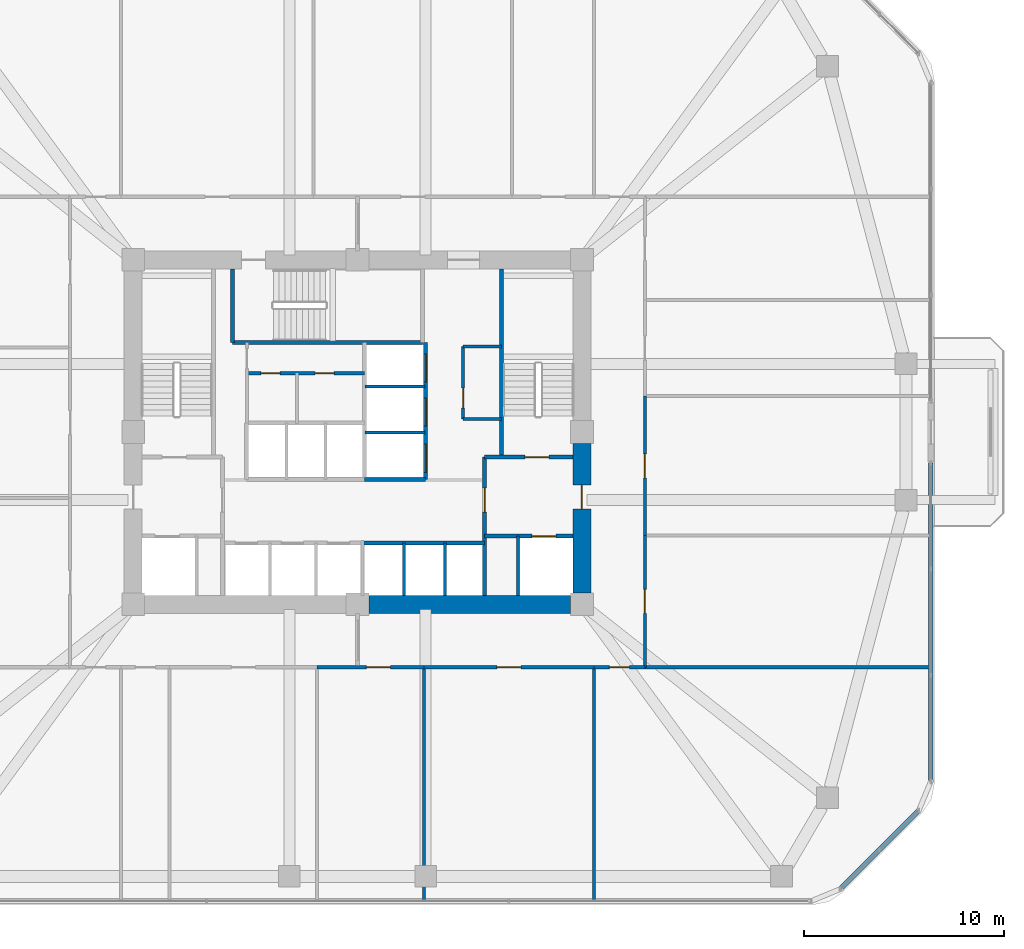
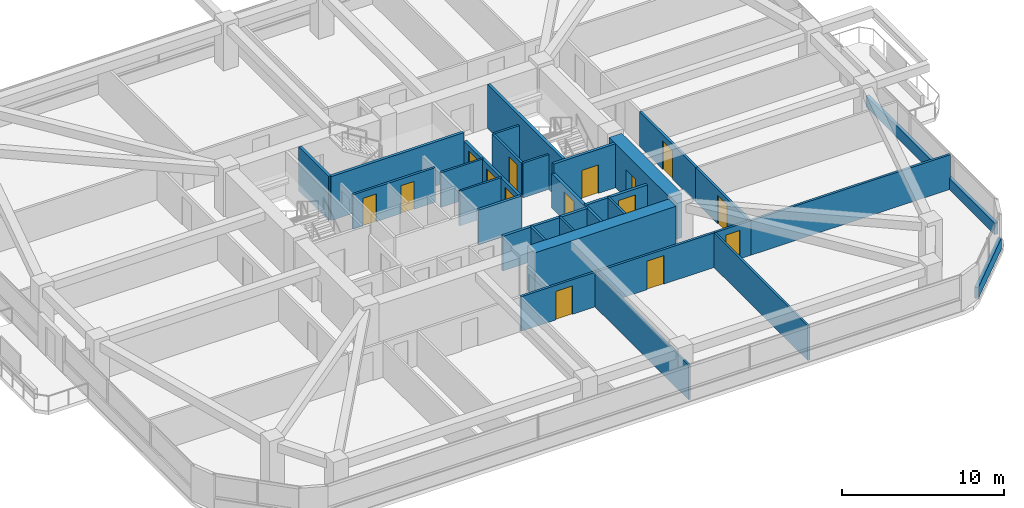
# One storey, part 11 of 15: 30 walls, 15 doors, 15 openings.
"""IFC4 building model written with IfcOpenShell, lengths in metres."""

from ifc_helpers import new_model, si_unit, derived_unit, direction, frame, frame_2d, origin, place, context, subcontext, project, spatial, rectangle, extrude, material, layer, layer_set, type_object, element, fill, save


model = new_model("IFC4")

# Units and contexts
model_context = context("Model", 3, precision=1e-05, world=origin(), true_north=direction((0.0, 1.0)))
body_context = subcontext(model_context, "Body", "Model", "MODEL_VIEW")
ifc_project = project(units=[si_unit("LENGTHUNIT", "METRE"), si_unit("AREAUNIT", "SQUARE_METRE"), si_unit("VOLUMEUNIT", "CUBIC_METRE"), si_unit("PLANEANGLEUNIT", "RADIAN"), si_unit("MASSUNIT", "GRAM", prefix="KILO"), derived_unit("THERMALTRANSMITTANCEUNIT", [(si_unit("POWERUNIT", "WATT"), 1), (si_unit("LENGTHUNIT", "METRE"), -2), (si_unit("THERMODYNAMICTEMPERATUREUNIT", "KELVIN"), -1)])], contexts=[model_context])

# Site, building, storey
site_placement = place(None, origin())
site = spatial("IfcSite", under=ifc_project, at=site_placement, CompositionType="ELEMENT")
building_placement = place(site_placement, origin())
building = spatial("IfcBuilding", under=site, at=building_placement, Name="Koralith Skygarden Medical Center", CompositionType="ELEMENT")
storey_placement = place(building_placement, frame((0.0, 0.0, 27.5400390625)))
storey = spatial("IfcBuildingStorey", under=building, at=storey_placement, Name="L06", CompositionType="ELEMENT", Elevation=27.5400390625)

# Wall, opening, door
ifc_material_1 = material(Name="Gypsum Board Partition")
ifc_layer_1 = layer(ifc_material_1, 0.14990234375)
ifc_layer_set_1 = layer_set([ifc_layer_1], Name="Gypsum Board Partition")
wall_type_1 = type_object("IfcWallType", Name="Clinical Acoustic Partition 150", PredefinedType="PARTITIONING", material=ifc_layer_set_1)
wall_1_placement = place(storey_placement, frame((42.27001953125, 26.5400390625, 0.0), z_axis=(0.0, 0.0, 1.0), x_axis=(0.0, 1.0, 0.0)))
wall_1 = element("IfcWall", 1, at=wall_1_placement, inside=storey, type_object=wall_type_1, Name="L06 Clinical Acoustic Partition 150 W-CORE-L06-ESUB-W", PredefinedType="PARTITIONING", context=body_context, shape_type="SweptSolid", body=[
    extrude(rectangle(XDim=3.619873046875, YDim=0.14990234375, at=frame_2d((1.81005859375, 0.0))), origin(), (0.0, 0.0, 1.0), 2.60986328125),
])
opening_1_placement = place(wall_1_placement, frame((0.550048828125, 0.0, 0.0)))
opening_1 = element("IfcOpeningElement", 2, at=opening_1_placement, cuts=wall_1, Name="Opening D-SUP", PredefinedType="OPENING", context=body_context, shape_type="SweptSolid", body=[
    extrude(rectangle(XDim=1.0, YDim=2.14990234375, at=frame_2d((0.5, 1.074951171875))), frame((0.0, 0.0849609375, 0.0), z_axis=(0.0, -1.0, 0.0), x_axis=(1.0, 0.0, 0.0)), (0.0, 0.0, 1.0), 0.169921875),
])
ifc_material_2 = material(Name="Aluminium 6063-T6", Category="aluminium")
door_type_1 = type_object("IfcDoorType", Name="Clinical Support Door D-SUP 1000", OperationType="NOTDEFINED", PredefinedType="DOOR", material=ifc_material_2)
door_1_placement = place(opening_1_placement, origin())
door_1 = element("IfcDoor", 3, at=door_1_placement, inside=storey, type_object=door_type_1, Name="L06 Core Equipment Store Door", OperationType="SINGLE_SWING_LEFT", OverallHeight=2.14990234375, OverallWidth=1.0, PredefinedType="DOOR", context=body_context, shape_type="SweptSolid", body=[
    extrude(rectangle(XDim=1.0, YDim=2.14990234375, at=frame_2d((0.5, 1.074951171875))), frame((0.0, 0.02490234375, 0.0), z_axis=(0.0, -1.0, 0.0), x_axis=(1.0, 0.0, 0.0)), (0.0, 0.0, 1.0), 0.050048828125),
])
fill(opening_1, door_1)

# Walls
for number, where, z_axis, x_axis, name in (
    (4, (42.27001953125, 26.5400390625, 0.0), (0.0, 0.0, 1.0), (1.0, 0.0, 0.0), "L06 Clinical Acoustic Partition 150 W-CORE-L06-ESUB-S"),
    (5, (42.27001953125, 30.159912109375, 0.0), (0.0, 0.0, 1.0), (1.0, 0.0, 0.0), "L06 Clinical Acoustic Partition 150 W-CORE-L06-ESUB-N"),
):
    element("IfcWall", number, at=place(storey_placement, frame(where, z_axis=z_axis, x_axis=x_axis)), inside=storey, type_object=wall_type_1, Name=name, PredefinedType="PARTITIONING", context=body_context, shape_type="SweptSolid", body=[
        extrude(rectangle(XDim=1.929931640625, YDim=0.14990234375, at=frame_2d((0.96484375, 0.0))), origin(), (0.0, 0.0, 1.0), 2.60986328125),
    ])
for number, where, z_axis, x_axis, name in (
    (6, (40.31005859375, 14.14990234375, 0.0), (0.0, 0.0, 1.0), (0.0, -1.0, 0.0), "L06 Clinical Acoustic Partition 150 W-PART-L06-S-04"),
    (7, (48.800048828125, 14.14990234375, 0.0), (0.0, 0.0, 1.0), (0.0, -1.0, 0.0), "L06 Clinical Acoustic Partition 150 W-PART-L06-S-05"),
):
    element("IfcWall", number, at=place(storey_placement, frame(where, z_axis=z_axis, x_axis=x_axis)), inside=storey, type_object=wall_type_1, Name=name, PredefinedType="PARTITIONING", context=body_context, shape_type="SweptSolid", body=[
        extrude(rectangle(XDim=11.64990234375, YDim=0.14990234375, at=frame_2d((5.824951171875, 0.0))), origin(), (0.0, 0.0, 1.0), 2.60986328125),
    ])
ifc_layer_2 = layer(ifc_material_1, 0.1650390625)
ifc_layer_set_2 = layer_set([ifc_layer_2], Name="Gypsum Board Partition")
wall_type_2 = type_object("IfcWallType", Name="Clinical Corridor Partition 165", PredefinedType="PARTITIONING", material=ifc_layer_set_2)
wall_2_placement = place(storey_placement, frame((51.35009765625, 14.14990234375, 0.0), z_axis=(0.0, 0.0, 1.0), x_axis=(1.0, 0.0, 0.0)))
element("IfcWall", 8, at=wall_2_placement, inside=storey, type_object=wall_type_2, Name="L06 Clinical Corridor Partition 165 W-WB-L06-SE", PredefinedType="PARTITIONING", context=body_context, shape_type="SweptSolid", body=[
    extrude(rectangle(XDim=14.25, YDim=0.1650390625, at=frame_2d((7.125, 0.0))), origin(), (0.0, 0.0, 1.0), 2.60986328125),
])

# Wall, opening, door
wall_3_placement = place(storey_placement, frame((34.98095703125, 14.14990234375, 0.0), z_axis=(0.0, 0.0, 1.0), x_axis=(1.0, 0.0, 0.0)))
wall_3 = element("IfcWall", 9, at=wall_3_placement, inside=storey, type_object=wall_type_2, Name="L06 Clinical Corridor Partition 165 W-CORR-L06-S-04", PredefinedType="PARTITIONING", context=body_context, shape_type="SweptSolid", body=[
    extrude(rectangle(XDim=5.3291015625, YDim=0.1650390625, at=frame_2d((2.66455078125, 0.0))), origin(), (0.0, 0.0, 1.0), 2.60986328125),
])
opening_2_placement = place(wall_3_placement, frame((2.4619140625, 0.0, 0.0)))
opening_2 = element("IfcOpeningElement", 10, at=opening_2_placement, cuts=wall_3, Name="Opening D-CLN", PredefinedType="OPENING", context=body_context, shape_type="SweptSolid", body=[
    extrude(rectangle(XDim=1.199951171875, YDim=2.14990234375, at=frame_2d((0.60009765625, 1.074951171875))), frame((0.0, 0.092529296875, 0.0), z_axis=(0.0, -1.0, 0.0), x_axis=(1.0, 0.0, 0.0)), (0.0, 0.0, 1.0), 0.18505859375),
])
door_type_2 = type_object("IfcDoorType", Name="Clinical Corridor Door D-CLN 1200", OperationType="NOTDEFINED", PredefinedType="DOOR", material=ifc_material_2)
door_2_placement = place(opening_2_placement, frame((1.199951171875, 0.0, 0.0), z_axis=(0.0, 0.0, 1.0), x_axis=(-1.0, 0.0, 0.0)))
door_2 = element("IfcDoor", 11, at=door_2_placement, inside=storey, type_object=door_type_2, Name="L06 Decentralized Nurse Charting Station 09 Door", OperationType="SINGLE_SWING_RIGHT", OverallHeight=2.14990234375, OverallWidth=1.199951171875, PredefinedType="DOOR", context=body_context, shape_type="SweptSolid", body=[
    extrude(rectangle(XDim=1.199951171875, YDim=2.14990234375, at=frame_2d((0.60009765625, 1.074951171875))), frame((0.0, 0.02490234375, 0.0), z_axis=(0.0, -1.0, 0.0), x_axis=(1.0, 0.0, 0.0)), (0.0, 0.0, 1.0), 0.050048828125),
])
fill(opening_2, door_2)

wall_4_placement = place(storey_placement, frame((40.31005859375, 14.14990234375, 0.0), z_axis=(0.0, 0.0, 1.0), x_axis=(1.0, 0.0, 0.0)))
wall_4 = element("IfcWall", 12, at=wall_4_placement, inside=storey, type_object=wall_type_2, Name="L06 Clinical Corridor Partition 165 W-CORR-L06-S-05", PredefinedType="PARTITIONING", context=body_context, shape_type="SweptSolid", body=[
    extrude(rectangle(XDim=8.489990234375, YDim=0.1650390625, at=frame_2d((4.2451171875, 0.0))), origin(), (0.0, 0.0, 1.0), 2.60986328125),
])
opening_3_placement = place(wall_4_placement, frame((3.64501953125, 0.0, 0.0)))
opening_3 = element("IfcOpeningElement", 13, at=opening_3_placement, cuts=wall_4, Name="Opening D-CLN", PredefinedType="OPENING", context=body_context, shape_type="SweptSolid", body=[
    extrude(rectangle(XDim=1.199951171875, YDim=2.14990234375, at=frame_2d((0.60009765625, 1.074951171875))), frame((0.0, 0.092529296875, 0.0), z_axis=(0.0, -1.0, 0.0), x_axis=(1.0, 0.0, 0.0)), (0.0, 0.0, 1.0), 0.18505859375),
])
door_3_placement = place(opening_3_placement, frame((1.199951171875, 0.0, 0.0), z_axis=(0.0, 0.0, 1.0), x_axis=(-1.0, 0.0, 0.0)))
door_3 = element("IfcDoor", 14, at=door_3_placement, inside=storey, type_object=door_type_2, Name="L06 Clinical Examination Room 10 Door", OperationType="SINGLE_SWING_LEFT", OverallHeight=2.14990234375, OverallWidth=1.199951171875, PredefinedType="DOOR", context=body_context, shape_type="SweptSolid", body=[
    extrude(rectangle(XDim=1.199951171875, YDim=2.14990234375, at=frame_2d((0.60009765625, 1.074951171875))), frame((0.0, 0.02490234375, 0.0), z_axis=(0.0, -1.0, 0.0), x_axis=(1.0, 0.0, 0.0)), (0.0, 0.0, 1.0), 0.050048828125),
])
fill(opening_3, door_3)

wall_5_placement = place(storey_placement, frame((48.800048828125, 14.14990234375, 0.0), z_axis=(0.0, 0.0, 1.0), x_axis=(1.0, 0.0, 0.0)))
wall_5 = element("IfcWall", 15, at=wall_5_placement, inside=storey, type_object=wall_type_2, Name="L06 Clinical Corridor Partition 165 W-CORR-L06-S-06", PredefinedType="PARTITIONING", context=body_context, shape_type="SweptSolid", body=[
    extrude(rectangle(XDim=2.550048828125, YDim=0.1650390625, at=frame_2d((1.27490234375, 0.0))), origin(), (0.0, 0.0, 1.0), 2.60986328125),
])
opening_4_placement = place(wall_5_placement, frame((0.77490234375, 0.0, 0.0)))
opening_4 = element("IfcOpeningElement", 16, at=opening_4_placement, cuts=wall_5, Name="Opening D-SUP", PredefinedType="OPENING", context=body_context, shape_type="SweptSolid", body=[
    extrude(rectangle(XDim=1.0, YDim=2.14990234375, at=frame_2d((0.5, 1.074951171875))), frame((0.0, 0.092529296875, 0.0), z_axis=(0.0, -1.0, 0.0), x_axis=(1.0, 0.0, 0.0)), (0.0, 0.0, 1.0), 0.18505859375),
])
door_4_placement = place(opening_4_placement, frame((1.0, 0.0, 0.0), z_axis=(0.0, 0.0, 1.0), x_axis=(-1.0, 0.0, 0.0)))
door_4 = element("IfcDoor", 17, at=door_4_placement, inside=storey, type_object=door_type_1, Name="L06 Attending Physician Consultation Office 11 Door", OperationType="SINGLE_SWING_RIGHT", OverallHeight=2.14990234375, OverallWidth=1.0, PredefinedType="DOOR", context=body_context, shape_type="SweptSolid", body=[
    extrude(rectangle(XDim=1.0, YDim=2.14990234375, at=frame_2d((0.5, 1.074951171875))), frame((0.0, 0.02490234375, 0.0), z_axis=(0.0, -1.0, 0.0), x_axis=(1.0, 0.0, 0.0)), (0.0, 0.0, 1.0), 0.050048828125),
])
fill(opening_4, door_4)

wall_6_placement = place(storey_placement, frame((51.35009765625, 14.14990234375, 0.0), z_axis=(0.0, 0.0, 1.0), x_axis=(0.0, 1.0, 0.0)))
wall_6 = element("IfcWall", 18, at=wall_6_placement, inside=storey, type_object=wall_type_2, Name="L06 Clinical Corridor Partition 165 W-CORR-L06-E-01", PredefinedType="PARTITIONING", context=body_context, shape_type="SweptSolid", body=[
    extrude(rectangle(XDim=6.580078125, YDim=0.1650390625, at=frame_2d((3.2900390625, 0.0))), origin(), (0.0, 0.0, 1.0), 2.60986328125),
])
opening_5_placement = place(wall_6_placement, frame((2.68994140625, 0.0, 0.0)))
opening_5 = element("IfcOpeningElement", 19, at=opening_5_placement, cuts=wall_6, Name="Opening D-CLN", PredefinedType="OPENING", context=body_context, shape_type="SweptSolid", body=[
    extrude(rectangle(XDim=1.199951171875, YDim=2.14990234375, at=frame_2d((0.60009765625, 1.074951171875))), frame((0.0, 0.092529296875, 0.0), z_axis=(0.0, -1.0, 0.0), x_axis=(1.0, 0.0, 0.0)), (0.0, 0.0, 1.0), 0.18505859375),
])
door_5_placement = place(opening_5_placement, origin())
door_5 = element("IfcDoor", 20, at=door_5_placement, inside=storey, type_object=door_type_2, Name="L06 Clinical Examination Room 15 Door", OperationType="SINGLE_SWING_RIGHT", OverallHeight=2.14990234375, OverallWidth=1.199951171875, PredefinedType="DOOR", context=body_context, shape_type="SweptSolid", body=[
    extrude(rectangle(XDim=1.199951171875, YDim=2.14990234375, at=frame_2d((0.60009765625, 1.074951171875))), frame((0.0, 0.02490234375, 0.0), z_axis=(0.0, -1.0, 0.0), x_axis=(1.0, 0.0, 0.0)), (0.0, 0.0, 1.0), 0.050048828125),
])
fill(opening_5, door_5)

wall_7_placement = place(storey_placement, frame((51.35009765625, 20.72998046875, 0.0), z_axis=(0.0, 0.0, 1.0), x_axis=(0.0, 1.0, 0.0)))
wall_7 = element("IfcWall", 21, at=wall_7_placement, inside=storey, type_object=wall_type_2, Name="L06 Clinical Corridor Partition 165 W-CORR-L06-E-02", PredefinedType="PARTITIONING", context=body_context, shape_type="SweptSolid", body=[
    extrude(rectangle(XDim=6.969970703125, YDim=0.1650390625, at=frame_2d((3.48486328125, 0.0))), origin(), (0.0, 0.0, 1.0), 2.60986328125),
])
opening_6_placement = place(wall_7_placement, frame((2.885009765625, 0.0, 0.0)))
opening_6 = element("IfcOpeningElement", 22, at=opening_6_placement, cuts=wall_7, Name="Opening D-CLN", PredefinedType="OPENING", context=body_context, shape_type="SweptSolid", body=[
    extrude(rectangle(XDim=1.199951171875, YDim=2.14990234375, at=frame_2d((0.60009765625, 1.074951171875))), frame((0.0, 0.092529296875, 0.0), z_axis=(0.0, -1.0, 0.0), x_axis=(1.0, 0.0, 0.0)), (0.0, 0.0, 1.0), 0.18505859375),
])
door_6_placement = place(opening_6_placement, origin())
door_6 = element("IfcDoor", 23, at=door_6_placement, inside=storey, type_object=door_type_2, Name="L06 Patient and Family Sky-Garden Day Lounge 16 Door", OperationType="SINGLE_SWING_LEFT", OverallHeight=2.14990234375, OverallWidth=1.199951171875, PredefinedType="DOOR", context=body_context, shape_type="SweptSolid", body=[
    extrude(rectangle(XDim=1.199951171875, YDim=2.14990234375, at=frame_2d((0.60009765625, 1.074951171875))), frame((0.0, 0.02490234375, 0.0), z_axis=(0.0, -1.0, 0.0), x_axis=(1.0, 0.0, 0.0)), (0.0, 0.0, 1.0), 0.050048828125),
])
fill(opening_6, door_6)

ifc_layer_3 = layer(ifc_material_1, 0.199951171875)
ifc_layer_set_3 = layer_set([ifc_layer_3], Name="Gypsum Board Partition")
wall_type_3 = type_object("IfcWallType", Name="Fire Shaft Wall 200", PredefinedType="SOLIDWALL", material=ifc_layer_set_3)
wall_8_placement = place(storey_placement, frame((43.35009765625, 20.699951171875, 0.0), z_axis=(0.0, 0.0, 1.0), x_axis=(1.0, 0.0, 0.0)))
wall_8 = element("IfcWall", 24, at=wall_8_placement, inside=storey, type_object=wall_type_3, Name="L06 Fire Shaft Wall 200 W-CORE-L06-FF2-N", PredefinedType="SOLIDWALL", context=body_context, shape_type="SweptSolid", body=[
    extrude(rectangle(XDim=4.39990234375, YDim=0.199951171875, at=frame_2d((2.199951171875, 0.0))), origin(), (0.0, 0.0, 1.0), 2.60986328125),
])
opening_7_placement = place(wall_8_placement, frame((2.35009765625, 0.0, 0.0)))
opening_7 = element("IfcOpeningElement", 25, at=opening_7_placement, cuts=wall_8, Name="Opening LD-FF", PredefinedType="OPENING", context=body_context, shape_type="SweptSolid", body=[
    extrude(rectangle(XDim=1.199951171875, YDim=2.14990234375, at=frame_2d((0.60009765625, 1.074951171875))), frame((0.0, 0.10986328125, 0.0), z_axis=(0.0, -1.0, 0.0), x_axis=(1.0, 0.0, 0.0)), (0.0, 0.0, 1.0), 0.219970703125),
])
ifc_material_3 = material(Name="Steel ASTM A500 Grade C", Category="steel")
door_type_3 = type_object("IfcDoorType", Name="Fire Lift Sliding Landing Door LD-FF 1200", OperationType="NOTDEFINED", PredefinedType="DOOR", material=ifc_material_3)
door_7_placement = place(opening_7_placement, origin())
door_7 = element("IfcDoor", 26, at=door_7_placement, inside=storey, type_object=door_type_3, Name="L06 Fire Service Elevator FF2 Landing Door", OperationType="SLIDING_TO_RIGHT", OverallHeight=2.14990234375, OverallWidth=1.199951171875, PredefinedType="DOOR", context=body_context, shape_type="SweptSolid", body=[
    extrude(rectangle(XDim=1.199951171875, YDim=2.14990234375, at=frame_2d((0.60009765625, 1.074951171875))), frame((0.0, 0.02490234375, 0.0), z_axis=(0.0, -1.0, 0.0), x_axis=(1.0, 0.0, 0.0)), (0.0, 0.0, 1.0), 0.050048828125),
])
fill(opening_7, door_7)

wall_9_placement = place(storey_placement, frame((43.35009765625, 17.75, 0.0), z_axis=(0.0, 0.0, 1.0), x_axis=(0.0, 1.0, 0.0)))
wall_9 = element("IfcWall", 27, at=wall_9_placement, inside=storey, type_object=wall_type_3, Name="L06 Fire Shaft Wall 200 W-CORE-L06-FSAEE-W", PredefinedType="SOLIDWALL", context=body_context, shape_type="SweptSolid", body=[
    extrude(rectangle(XDim=6.89990234375, YDim=0.199951171875, at=frame_2d((3.449951171875, 0.0))), origin(), (0.0, 0.0, 1.0), 2.60986328125),
])
opening_8_placement = place(wall_9_placement, frame((4.14990234375, 0.0, 0.0)))
opening_8 = element("IfcOpeningElement", 28, at=opening_8_placement, cuts=wall_9, Name="Opening D-ST60", PredefinedType="OPENING", context=body_context, shape_type="SweptSolid", body=[
    extrude(rectangle(XDim=1.199951171875, YDim=2.14990234375, at=frame_2d((0.60009765625, 1.074951171875))), frame((0.0, 0.10986328125, 0.0), z_axis=(0.0, -1.0, 0.0), x_axis=(1.0, 0.0, 0.0)), (0.0, 0.0, 1.0), 0.219970703125),
])
door_type_4 = type_object("IfcDoorType", Name="Smokeproof Stair Fire Door FD60S 1200", OperationType="NOTDEFINED", PredefinedType="DOOR", material=ifc_material_3)
door_8_placement = place(opening_8_placement, frame((1.199951171875, 0.0, 0.0), z_axis=(0.0, 0.0, 1.0), x_axis=(-1.0, 0.0, 0.0)))
door_8 = element("IfcDoor", 29, at=door_8_placement, inside=storey, type_object=door_type_4, Name="L06 East Firefighting Lobby Inner Fire Door", OperationType="SINGLE_SWING_RIGHT", OverallHeight=2.14990234375, OverallWidth=1.199951171875, PredefinedType="DOOR", context=body_context, shape_type="SweptSolid", body=[
    extrude(rectangle(XDim=1.199951171875, YDim=2.14990234375, at=frame_2d((0.60009765625, 1.074951171875))), frame((0.0, 0.02490234375, 0.0), z_axis=(0.0, -1.0, 0.0), x_axis=(1.0, 0.0, 0.0)), (0.0, 0.0, 1.0), 0.050048828125),
])
fill(opening_8, door_8)

# Walls
wall_10_placement = place(storey_placement, frame((37.25, 20.360107421875, 0.0), z_axis=(0.0, 0.0, 1.0), x_axis=(1.0, 0.0, 0.0)))
element("IfcWall", 30, at=wall_10_placement, inside=storey, type_object=wall_type_3, Name="L06 Fire Shaft Wall 200 W-CORE-L06-PM-N", PredefinedType="SOLIDWALL", context=body_context, shape_type="SweptSolid", body=[
    extrude(rectangle(XDim=6.10009765625, YDim=0.199951171875, at=frame_2d((3.050048828125, 0.0))), origin(), (0.0, 0.0, 1.0), 2.60986328125),
])
wall_11_placement = place(storey_placement, frame((37.35009765625, 23.5400390625, 0.0), z_axis=(0.0, 0.0, 1.0), x_axis=(1.0, 0.0, 0.0)))
element("IfcWall", 31, at=wall_11_placement, inside=storey, type_object=wall_type_3, Name="L06 Fire Shaft Wall 200 W-CORE-L06-SV-S", PredefinedType="SOLIDWALL", context=body_context, shape_type="SweptSolid", body=[
    extrude(rectangle(XDim=3.0498046875, YDim=0.199951171875, at=frame_2d((1.52490234375, 0.0))), origin(), (0.0, 0.0, 1.0), 2.60986328125),
])

# Wall, openings, doors
wall_12_placement = place(storey_placement, frame((40.39990234375, 23.5400390625, 0.0), z_axis=(0.0, 0.0, 1.0), x_axis=(0.0, 1.0, 0.0)))
wall_12 = element("IfcWall", 32, at=wall_12_placement, inside=storey, type_object=wall_type_3, Name="L06 Fire Shaft Wall 200 W-CORE-L06-SV-E", PredefinedType="SOLIDWALL", context=body_context, shape_type="SweptSolid", body=[
    extrude(rectangle(XDim=6.820068359375, YDim=0.199951171875, at=frame_2d((3.41015625, 0.0))), origin(), (0.0, 0.0, 1.0), 2.60986328125),
])
opening_9_placement = place(wall_12_placement, frame((0.35009765625, 0.0, 0.0)))
opening_9 = element("IfcOpeningElement", 33, at=opening_9_placement, cuts=wall_12, Name="Opening LD-SV", PredefinedType="OPENING", context=body_context, shape_type="SweptSolid", body=[
    extrude(rectangle(XDim=1.39990234375, YDim=2.199951171875, at=frame_2d((0.699951171875, 1.10009765625))), frame((0.0, 0.10986328125, 0.0), z_axis=(0.0, -1.0, 0.0), x_axis=(1.0, 0.0, 0.0)), (0.0, 0.0, 1.0), 0.219970703125),
])
opening_10_placement = place(wall_12_placement, frame((2.64990234375, 0.0, 0.0)))
opening_10 = element("IfcOpeningElement", 34, at=opening_10_placement, cuts=wall_12, Name="Opening LD-SV", PredefinedType="OPENING", context=body_context, shape_type="SweptSolid", body=[
    extrude(rectangle(XDim=1.39990234375, YDim=2.199951171875, at=frame_2d((0.699951171875, 1.10009765625))), frame((0.0, 0.10986328125, 0.0), z_axis=(0.0, -1.0, 0.0), x_axis=(1.0, 0.0, 0.0)), (0.0, 0.0, 1.0), 0.219970703125),
])
opening_11_placement = place(wall_12_placement, frame((4.85009765625, 0.0, 0.0)))
opening_11 = element("IfcOpeningElement", 35, at=opening_11_placement, cuts=wall_12, Name="Opening LD-SV", PredefinedType="OPENING", context=body_context, shape_type="SweptSolid", body=[
    extrude(rectangle(XDim=1.39990234375, YDim=2.199951171875, at=frame_2d((0.699951171875, 1.10009765625))), frame((0.0, 0.10986328125, 0.0), z_axis=(0.0, -1.0, 0.0), x_axis=(1.0, 0.0, 0.0)), (0.0, 0.0, 1.0), 0.219970703125),
])
door_type_5 = type_object("IfcDoorType", Name="Bed Lift Sliding Landing Door LD-SV 1400", OperationType="NOTDEFINED", PredefinedType="DOOR", material=ifc_material_3)
door_9_placement = place(opening_9_placement, origin())
door_9 = element("IfcDoor", 36, at=door_9_placement, inside=storey, type_object=door_type_5, Name="L06 Bed Elevator BD1 Landing Door", OperationType="SLIDING_TO_LEFT", OverallHeight=2.199951171875, OverallWidth=1.39990234375, PredefinedType="DOOR", context=body_context, shape_type="SweptSolid", body=[
    extrude(rectangle(XDim=1.39990234375, YDim=2.199951171875, at=frame_2d((0.699951171875, 1.10009765625))), frame((0.0, 0.02490234375, 0.0), z_axis=(0.0, -1.0, 0.0), x_axis=(1.0, 0.0, 0.0)), (0.0, 0.0, 1.0), 0.050048828125),
])
fill(opening_9, door_9)
door_10_placement = place(opening_10_placement, origin())
door_10 = element("IfcDoor", 37, at=door_10_placement, inside=storey, type_object=door_type_5, Name="L06 Service Elevator BD2 Landing Door", OperationType="SLIDING_TO_LEFT", OverallHeight=2.199951171875, OverallWidth=1.39990234375, PredefinedType="DOOR", context=body_context, shape_type="SweptSolid", body=[
    extrude(rectangle(XDim=1.39990234375, YDim=2.199951171875, at=frame_2d((0.699951171875, 1.10009765625))), frame((0.0, 0.02490234375, 0.0), z_axis=(0.0, -1.0, 0.0), x_axis=(1.0, 0.0, 0.0)), (0.0, 0.0, 1.0), 0.050048828125),
])
fill(opening_10, door_10)
door_11_placement = place(opening_11_placement, origin())
door_11 = element("IfcDoor", 38, at=door_11_placement, inside=storey, type_object=door_type_5, Name="L06 Trauma Elevator TR1 Landing Door", OperationType="SLIDING_TO_RIGHT", OverallHeight=2.199951171875, OverallWidth=1.39990234375, PredefinedType="DOOR", context=body_context, shape_type="SweptSolid", body=[
    extrude(rectangle(XDim=1.39990234375, YDim=2.199951171875, at=frame_2d((0.699951171875, 1.10009765625))), frame((0.0, 0.02490234375, 0.0), z_axis=(0.0, -1.0, 0.0), x_axis=(1.0, 0.0, 0.0)), (0.0, 0.0, 1.0), 0.050048828125),
])
fill(opening_11, door_11)

# Walls
ifc_material_4 = material(Name="Warm Oolitic Limestone Cladding", Category="masonry")
ifc_layer_4 = layer(ifc_material_4, 0.239990234375)
ifc_layer_set_4 = layer_set([ifc_layer_4], Name="Warm Oolitic Limestone Cladding")
wall_type_4 = type_object("IfcWallType", Name="Limestone Spandrel Sill Backup Wall 240", PredefinedType="SOLIDWALL", material=ifc_layer_set_4)
wall_13_placement = place(storey_placement, frame((61.095947265625, 3.0810546875, 0.0), z_axis=(0.0, 0.0, 1.0), x_axis=(0.707128783731, 0.707084777957, 0.0)))
element("IfcWall", 39, at=wall_13_placement, inside=storey, type_object=wall_type_4, Name="L06 Sill Spandrel SE", PredefinedType="SOLIDWALL", context=body_context, shape_type="SweptSolid", body=[
    extrude(rectangle(XDim=5.5478515625, YDim=0.239990234375, at=frame_2d((2.77392578125, 0.0))), origin(), (0.0, 0.0, 1.0), 0.849853515625),
])
wall_14_placement = place(storey_placement, frame((65.6201171875, 8.455078125, 0.0), z_axis=(0.0, 0.0, 1.0), x_axis=(0.0, 1.0, 0.0)))
element("IfcWall", 40, at=wall_14_placement, inside=storey, type_object=wall_type_4, Name="L06 Sill Spandrel E-L", PredefinedType="SOLIDWALL", context=body_context, shape_type="SweptSolid", body=[
    extrude(rectangle(XDim=15.905029296875, YDim=0.239990234375, at=frame_2d((7.95263671875, 0.0))), origin(), (0.0, 0.0, 1.0), 0.849853515625),
])
ifc_material_5 = material(Name="Concrete C70/85", Category="concrete")
ifc_layer_5 = layer(ifc_material_5, 0.89990234375)
ifc_layer_set_5 = layer_set([ifc_layer_5], Name="Concrete C70/85")
wall_type_5 = type_object("IfcWallType", Name="Lower Core Shear Wall 900", PredefinedType="SHEAR", material=ifc_layer_set_5)
wall_15_placement = place(storey_placement, frame((37.56494140625, 17.300048828125, 0.0), z_axis=(0.0, 0.0, 1.0), x_axis=(1.0, 0.0, 0.0)))
element("IfcWall", 41, at=wall_15_placement, inside=storey, type_object=wall_type_5, Name="L06 Core Shear Wall Segment 2", PredefinedType="SHEAR", context=body_context, shape_type="SweptSolid", body=[
    extrude(rectangle(XDim=10.070068359375, YDim=0.89990234375, at=frame_2d((5.03515625, 0.0))), origin(), (0.0, 0.0, 1.0), 3.320068359375),
])

# Wall, opening, door
wall_16_placement = place(storey_placement, frame((48.199951171875, 17.864990234375, 0.0), z_axis=(0.0, 0.0, 1.0), x_axis=(0.0, 1.0, 0.0)))
wall_16 = element("IfcWall", 42, at=wall_16_placement, inside=storey, type_object=wall_type_5, Name="L06 Core Shear Wall Segment 3", PredefinedType="SHEAR", context=body_context, shape_type="SweptSolid", body=[
    extrude(rectangle(XDim=7.469970703125, YDim=0.89990234375, at=frame_2d((3.73486328125, 0.0))), origin(), (0.0, 0.0, 1.0), 3.320068359375),
])
opening_12_placement = place(wall_16_placement, frame((4.18505859375, 0.0, 0.0)))
opening_12 = element("IfcOpeningElement", 43, at=opening_12_placement, cuts=wall_16, Name="Opening D-ST60", PredefinedType="OPENING", context=body_context, shape_type="SweptSolid", body=[
    extrude(rectangle(XDim=1.199951171875, YDim=2.14990234375, at=frame_2d((0.60009765625, 1.074951171875))), frame((0.0, 0.4599609375, 0.0), z_axis=(0.0, -1.0, 0.0), x_axis=(1.0, 0.0, 0.0)), (0.0, 0.0, 1.0), 0.919921875),
])
door_12_placement = place(opening_12_placement, frame((1.199951171875, 0.0, 0.0), z_axis=(0.0, 0.0, 1.0), x_axis=(-1.0, 0.0, 0.0)))
door_12 = element("IfcDoor", 44, at=door_12_placement, inside=storey, type_object=door_type_4, Name="L06 East Corridor to Firefighting Lobby Door", OperationType="SINGLE_SWING_RIGHT", OverallHeight=2.14990234375, OverallWidth=1.199951171875, PredefinedType="DOOR", context=body_context, shape_type="SweptSolid", body=[
    extrude(rectangle(XDim=1.199951171875, YDim=2.14990234375, at=frame_2d((0.60009765625, 1.074951171875))), frame((0.0, 0.02490234375, 0.0), z_axis=(0.0, -1.0, 0.0), x_axis=(1.0, 0.0, 0.0)), (0.0, 0.0, 1.0), 0.050048828125),
])
fill(opening_12, door_12)

# Wall, openings, doors
ifc_layer_6 = layer(ifc_material_1, 0.1650390625)
ifc_layer_set_6 = layer_set([ifc_layer_6], Name="Gypsum Board Partition")
wall_type_6 = type_object("IfcWallType", Name="Plumbing Wet Wall 165", PredefinedType="PLUMBINGWALL", material=ifc_layer_set_6)
wall_17_placement = place(storey_placement, frame((31.47998046875, 28.840087890625, 0.0), z_axis=(0.0, 0.0, 1.0), x_axis=(1.0, 0.0, 0.0)))
wall_17 = element("IfcWall", 45, at=wall_17_placement, inside=storey, type_object=wall_type_6, Name="L06 Plumbing Wet Wall 165 W-CORE-L06-FLEX-H3", PredefinedType="PLUMBINGWALL", context=body_context, shape_type="SweptSolid", body=[
    extrude(rectangle(XDim=5.8701171875, YDim=0.1650390625, at=frame_2d((2.93505859375, 0.0))), origin(), (0.0, 0.0, 1.0), 2.60986328125),
])
opening_13_placement = place(wall_17_placement, frame((0.699951171875, 0.0, 0.0)))
opening_13 = element("IfcOpeningElement", 46, at=opening_13_placement, cuts=wall_17, Name="Opening D-WC", PredefinedType="OPENING", context=body_context, shape_type="SweptSolid", body=[
    extrude(rectangle(XDim=0.949951171875, YDim=2.10009765625, at=frame_2d((0.47509765625, 1.050048828125))), frame((0.0, 0.092529296875, 0.0), z_axis=(0.0, -1.0, 0.0), x_axis=(1.0, 0.0, 0.0)), (0.0, 0.0, 1.0), 0.18505859375),
])
opening_14_placement = place(wall_17_placement, frame((3.39990234375, 0.0, 0.0)))
opening_14 = element("IfcOpeningElement", 47, at=opening_14_placement, cuts=wall_17, Name="Opening D-WC", PredefinedType="OPENING", context=body_context, shape_type="SweptSolid", body=[
    extrude(rectangle(XDim=0.949951171875, YDim=2.10009765625, at=frame_2d((0.47509765625, 1.050048828125))), frame((0.0, 0.092529296875, 0.0), z_axis=(0.0, -1.0, 0.0), x_axis=(1.0, 0.0, 0.0)), (0.0, 0.0, 1.0), 0.18505859375),
])
door_type_6 = type_object("IfcDoorType", Name="Accessible Toilet Door D-WC 950", OperationType="NOTDEFINED", PredefinedType="DOOR", material=ifc_material_2)
door_13_placement = place(opening_13_placement, frame((0.949951171875, 0.0, 0.0), z_axis=(0.0, 0.0, 1.0), x_axis=(-1.0, 0.0, 0.0)))
door_13 = element("IfcDoor", 48, at=door_13_placement, inside=storey, type_object=door_type_6, Name="L06 Core Accessible WC Door", OperationType="SINGLE_SWING_LEFT", OverallHeight=2.10009765625, OverallWidth=0.949951171875, PredefinedType="DOOR", context=body_context, shape_type="SweptSolid", body=[
    extrude(rectangle(XDim=0.949951171875, YDim=2.10009765625, at=frame_2d((0.47509765625, 1.050048828125))), frame((0.0, 0.02490234375, 0.0), z_axis=(0.0, -1.0, 0.0), x_axis=(1.0, 0.0, 0.0)), (0.0, 0.0, 1.0), 0.050048828125),
])
fill(opening_13, door_13)
door_14_placement = place(opening_14_placement, frame((0.949951171875, 0.0, 0.0), z_axis=(0.0, 0.0, 1.0), x_axis=(-1.0, 0.0, 0.0)))
door_14 = element("IfcDoor", 49, at=door_14_placement, inside=storey, type_object=door_type_6, Name="L06 Housekeeping Store Door", OperationType="SINGLE_SWING_RIGHT", OverallHeight=2.10009765625, OverallWidth=0.949951171875, PredefinedType="DOOR", context=body_context, shape_type="SweptSolid", body=[
    extrude(rectangle(XDim=0.949951171875, YDim=2.10009765625, at=frame_2d((0.47509765625, 1.050048828125))), frame((0.0, 0.02490234375, 0.0), z_axis=(0.0, -1.0, 0.0), x_axis=(1.0, 0.0, 0.0)), (0.0, 0.0, 1.0), 0.050048828125),
])
fill(opening_14, door_14)

# Walls
ifc_layer_7 = layer(ifc_material_1, 0.14990234375)
ifc_layer_set_7 = layer_set([ifc_layer_7], Name="Gypsum Board Partition")
wall_type_7 = type_object("IfcWallType", Name="Shaft Partition Wall 150", PredefinedType="PARTITIONING", material=ifc_layer_set_7)
wall_18_placement = place(storey_placement, frame((45.02001953125, 17.75, 0.0), z_axis=(0.0, 0.0, 1.0), x_axis=(0.0, 1.0, 0.0)))
element("IfcWall", 50, at=wall_18_placement, inside=storey, type_object=wall_type_7, Name="L06 Shaft Partition Wall 150 W-CORE-L06-RSRE-DIV", PredefinedType="PARTITIONING", context=body_context, shape_type="SweptSolid", body=[
    extrude(rectangle(XDim=2.949951171875, YDim=0.14990234375, at=frame_2d((1.47509765625, 0.0))), origin(), (0.0, 0.0, 1.0), 2.60986328125),
])
for number, where, z_axis, x_axis, name in (
    (51, (39.320068359375, 17.75, 0.0), (0.0, 0.0, 1.0), (0.0, 1.0, 0.0), "L06 Shaft Partition Wall 150 W-CORE-L06-PM-D1"),
    (52, (41.3701171875, 17.75, 0.0), (0.0, 0.0, 1.0), (0.0, 1.0, 0.0), "L06 Shaft Partition Wall 150 W-CORE-L06-PM-D2"),
):
    element("IfcWall", number, at=place(storey_placement, frame(where, z_axis=z_axis, x_axis=x_axis)), inside=storey, type_object=wall_type_7, Name=name, PredefinedType="PARTITIONING", context=body_context, shape_type="SweptSolid", body=[
        extrude(rectangle(XDim=2.610107421875, YDim=0.14990234375, at=frame_2d((1.30517578125, 0.0))), origin(), (0.0, 0.0, 1.0), 2.60986328125),
    ])
for number, where, z_axis, x_axis, name in (
    (53, (37.3701171875, 25.8701171875, 0.0), (0.0, 0.0, 1.0), (1.0, 0.0, 0.0), "L06 Shaft Partition Wall 150 W-CORE-L06-SV-D1"),
    (54, (37.3701171875, 28.169921875, 0.0), (0.0, 0.0, 1.0), (1.0, 0.0, 0.0), "L06 Shaft Partition Wall 150 W-CORE-L06-SV-D2"),
):
    element("IfcWall", number, at=place(storey_placement, frame(where, z_axis=z_axis, x_axis=x_axis)), inside=storey, type_object=wall_type_7, Name=name, PredefinedType="PARTITIONING", context=body_context, shape_type="SweptSolid", body=[
        extrude(rectangle(XDim=3.009765625, YDim=0.14990234375, at=frame_2d((1.5048828125, 0.0))), origin(), (0.0, 0.0, 1.0), 2.60986328125),
    ])
ifc_material_6 = material(Name="Concrete C45/55", Category="concrete")
ifc_layer_8 = layer(ifc_material_6, 0.199951171875)
ifc_layer_set_8 = layer_set([ifc_layer_8], Name="Concrete C45/55")
wall_type_8 = type_object("IfcWallType", Name="Structural Stair Shaft Wall 200", PredefinedType="SHEAR", material=ifc_layer_set_8)
wall_19_placement = place(storey_placement, frame((44.199951171875, 24.64990234375, 0.0), z_axis=(0.0, 0.0, 1.0), x_axis=(0.0, 1.0, 0.0)))
element("IfcWall", 55, at=wall_19_placement, inside=storey, type_object=wall_type_8, Name="L06 Structural Stair Shaft Wall 200 W-CORE-L06-ST2-W", PredefinedType="SHEAR", context=body_context, shape_type="SweptSolid", body=[
    extrude(rectangle(XDim=9.400146484375, YDim=0.199951171875, at=frame_2d((4.7001953125, 0.0))), origin(), (0.0, 0.0, 1.0), 3.320068359375),
])

# Wall, opening, door
wall_20_placement = place(storey_placement, frame((43.35009765625, 24.64990234375, 0.0), z_axis=(0.0, 0.0, 1.0), x_axis=(1.0, 0.0, 0.0)))
wall_20 = element("IfcWall", 56, at=wall_20_placement, inside=storey, type_object=wall_type_8, Name="L06 Structural Stair Shaft Wall 200 W-CORE-L06-ST2-S", PredefinedType="SHEAR", context=body_context, shape_type="SweptSolid", body=[
    extrude(rectangle(XDim=4.39990234375, YDim=0.199951171875, at=frame_2d((2.199951171875, 0.0))), origin(), (0.0, 0.0, 1.0), 3.320068359375),
])
opening_15_placement = place(wall_20_placement, frame((2.0, 0.0, 0.0)))
opening_15 = element("IfcOpeningElement", 57, at=opening_15_placement, cuts=wall_20, Name="Opening D-ST60", PredefinedType="OPENING", context=body_context, shape_type="SweptSolid", body=[
    extrude(rectangle(XDim=1.199951171875, YDim=2.14990234375, at=frame_2d((0.60009765625, 1.074951171875))), frame((0.0, 0.10986328125, 0.0), z_axis=(0.0, -1.0, 0.0), x_axis=(1.0, 0.0, 0.0)), (0.0, 0.0, 1.0), 0.219970703125),
])
door_15_placement = place(opening_15_placement, origin())
door_15 = element("IfcDoor", 58, at=door_15_placement, inside=storey, type_object=door_type_4, Name="L06 Exit Stair ST2 Fire Door", OperationType="SINGLE_SWING_RIGHT", OverallHeight=2.14990234375, OverallWidth=1.199951171875, PredefinedType="DOOR", context=body_context, shape_type="SweptSolid", body=[
    extrude(rectangle(XDim=1.199951171875, YDim=2.14990234375, at=frame_2d((0.60009765625, 1.074951171875))), frame((0.0, 0.02490234375, 0.0), z_axis=(0.0, -1.0, 0.0), x_axis=(1.0, 0.0, 0.0)), (0.0, 0.0, 1.0), 0.050048828125),
])
fill(opening_15, door_15)

# Walls
wall_21_placement = place(storey_placement, frame((30.75, 30.360107421875, 0.0), z_axis=(0.0, 0.0, 1.0), x_axis=(1.0, 0.0, 0.0)))
element("IfcWall", 59, at=wall_21_placement, inside=storey, type_object=wall_type_8, Name="L06 Structural Stair Shaft Wall 200 W-CORE-L06-ST3-S", PredefinedType="SHEAR", context=body_context, shape_type="SweptSolid", body=[
    extrude(rectangle(XDim=9.5, YDim=0.199951171875, at=frame_2d((4.75, 0.0))), origin(), (0.0, 0.0, 1.0), 3.320068359375),
])
wall_22_placement = place(storey_placement, frame((30.75, 30.360107421875, 0.0), z_axis=(0.0, 0.0, 1.0), x_axis=(0.0, 1.0, 0.0)))
element("IfcWall", 60, at=wall_22_placement, inside=storey, type_object=wall_type_8, Name="L06 Structural Stair Shaft Wall 200 W-CORE-L06-ST3-W", PredefinedType="SHEAR", context=body_context, shape_type="SweptSolid", body=[
    extrude(rectangle(XDim=3.68994140625, YDim=0.199951171875, at=frame_2d((1.844970703125, 0.0))), origin(), (0.0, 0.0, 1.0), 3.320068359375),
])

save(model, "model.ifc")
